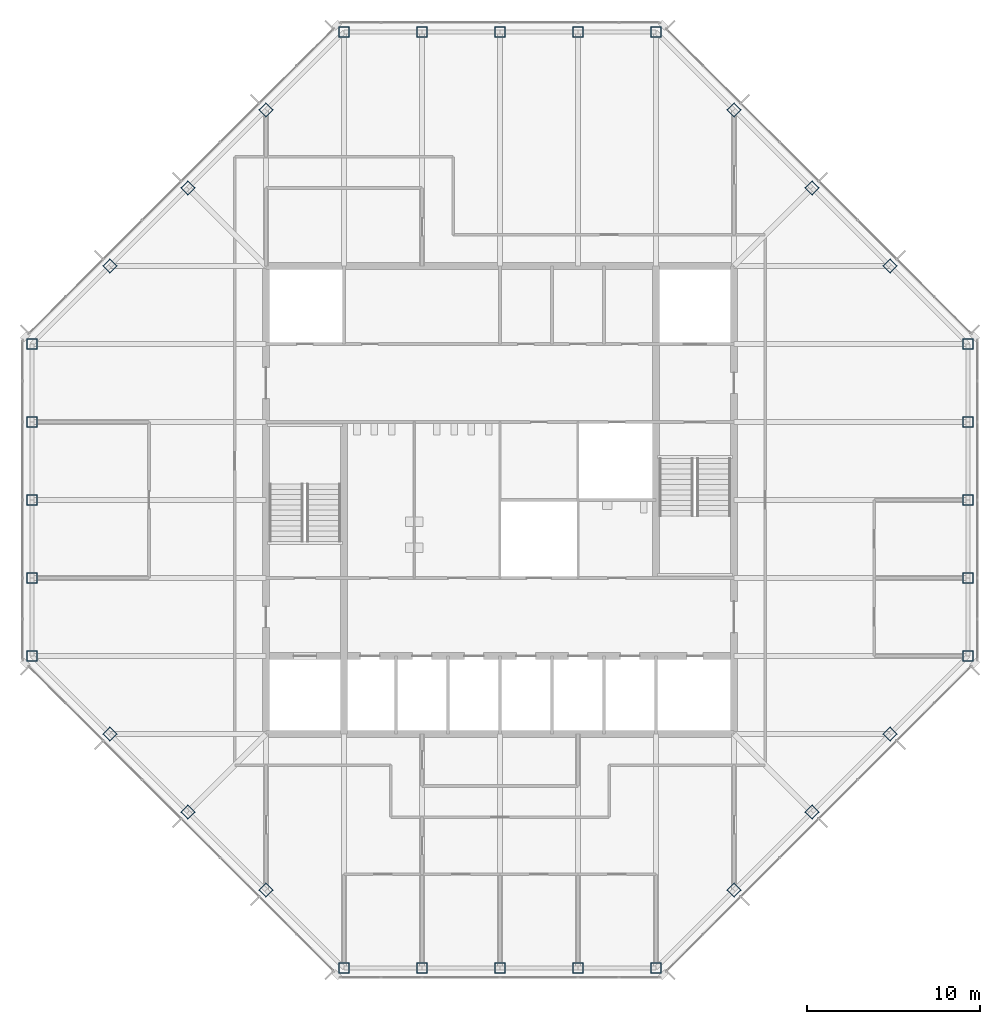
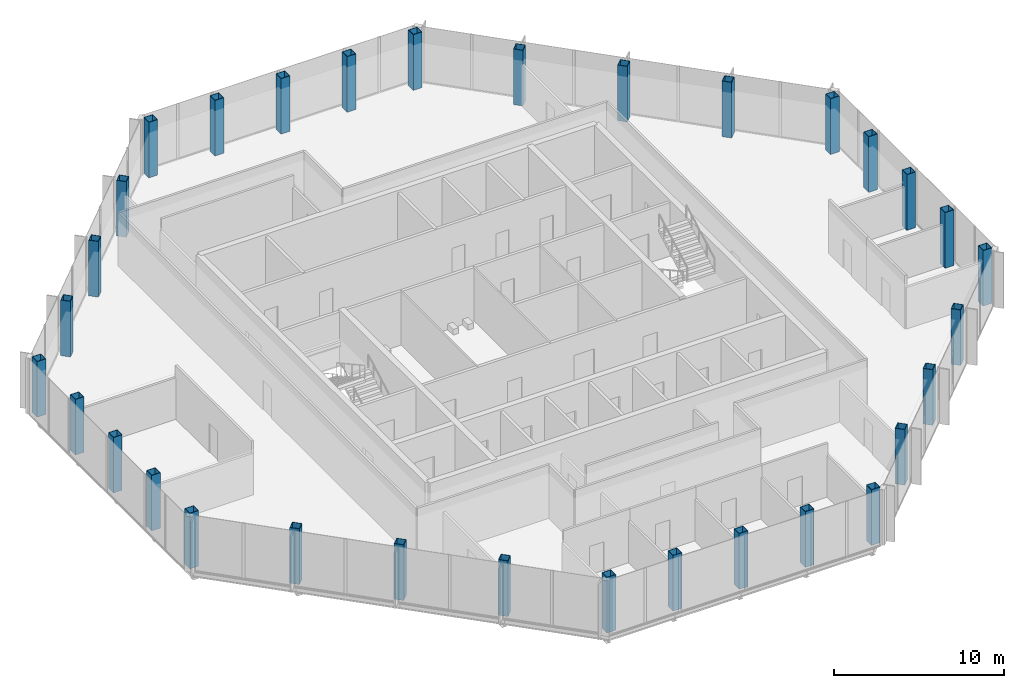
# One storey, part 1 of 13: 32 columns.
"""IFC4 building model written with IfcOpenShell, lengths in metres."""

from ifc_helpers import new_model, si_unit, direction, frame, origin, origin_2d, place, context, subcontext, project, spatial, hollow_rectangle, extrude, material, material_profile, profile_set, type_object, element, save


model = new_model("IFC4")

# Units and contexts
model_context = context("Model", 3, precision=1e-05, world=origin(), true_north=direction((0.0, 1.0)))
body_context = subcontext(model_context, "Body", "Model", "MODEL_VIEW")
ifc_project = project(units=[si_unit("LENGTHUNIT", "METRE"), si_unit("AREAUNIT", "SQUARE_METRE"), si_unit("VOLUMEUNIT", "CUBIC_METRE"), si_unit("PLANEANGLEUNIT", "RADIAN"), si_unit("MASSUNIT", "GRAM", prefix="KILO")], contexts=[model_context])

# Site, building, storey
site_placement = place(None, origin())
site = spatial("IfcSite", under=ifc_project, at=site_placement, CompositionType="ELEMENT")
building_placement = place(site_placement, origin())
building = spatial("IfcBuilding", under=site, at=building_placement, Name="Corais Broadcast Tower", CompositionType="ELEMENT")
storey_placement = place(building_placement, frame((0.0, 0.0, 270.60009765625)))
storey = spatial("IfcBuildingStorey", under=building, at=storey_placement, Name="L63", CompositionType="ELEMENT", Elevation=270.60009765625)

# Columns
ifc_material = material(Name="Steel ASTM A572 Grade 50", Category="steel")
ifc_material_profile = material_profile(ifc_material, hollow_rectangle(XDim=0.60009765625, YDim=0.60009765625, WallThickness=0.028076171875, at=origin_2d()), Name="BOX 600x600x28")
ifc_profile_set = profile_set([ifc_material_profile], Name="Steel ASTM A572 Grade 50")
column_type = type_object("IfcColumnType", Name="Column BOX 600x600x28", PredefinedType="COLUMN", material=ifc_profile_set)
for number, where, z_axis, x_axis, name in (
    (1, (18.0, 0.0, 0.0), (0.0, 0.0, 1.0), (1.0, 0.0, 0.0), "C7 A/7"),
    (2, (22.5, 0.0, 0.0), (0.0, 0.0, 1.0), (1.0, 0.0, 0.0), "C7 A/8"),
    (3, (27.0, 0.0, 0.0), (0.0, 0.0, 1.0), (1.0, 0.0, 0.0), "C7 A/9"),
    (4, (31.5, 0.0, 0.0), (0.0, 0.0, 1.0), (1.0, 0.0, 0.0), "C7 A/10"),
    (5, (36.0, 0.0, 0.0), (0.0, 0.0, 1.0), (1.0, 0.0, 0.0), "C7 A/11"),
    (6, (54.0, 18.0, 0.0), (0.0, 0.0, 1.0), (1.0, 0.0, 0.0), "C7 E/15"),
    (7, (54.0, 22.5, 0.0), (0.0, 0.0, 1.0), (1.0, 0.0, 0.0), "C7 F/15"),
    (8, (54.0, 27.0, 0.0), (0.0, 0.0, 1.0), (1.0, 0.0, 0.0), "C7 G/15"),
    (9, (54.0, 31.5, 0.0), (0.0, 0.0, 1.0), (1.0, 0.0, 0.0), "C7 H/15"),
    (10, (54.0, 36.0, 0.0), (0.0, 0.0, 1.0), (1.0, 0.0, 0.0), "C7 J/15"),
    (11, (36.0, 54.0, 0.0), (0.0, 0.0, 1.0), (1.0, 0.0, 0.0), "C7 N/11"),
    (12, (31.5, 54.0, 0.0), (0.0, 0.0, 1.0), (1.0, 0.0, 0.0), "C7 N/10"),
    (13, (27.0, 54.0, 0.0), (0.0, 0.0, 1.0), (1.0, 0.0, 0.0), "C7 N/9"),
    (14, (22.5, 54.0, 0.0), (0.0, 0.0, 1.0), (1.0, 0.0, 0.0), "C7 N/8"),
    (15, (18.0, 54.0, 0.0), (0.0, 0.0, 1.0), (1.0, 0.0, 0.0), "C7 N/7"),
    (16, (0.0, 36.0, 0.0), (0.0, 0.0, 1.0), (1.0, 0.0, 0.0), "C7 J/3"),
    (17, (0.0, 31.5, 0.0), (0.0, 0.0, 1.0), (1.0, 0.0, 0.0), "C7 H/3"),
    (18, (0.0, 27.0, 0.0), (0.0, 0.0, 1.0), (1.0, 0.0, 0.0), "C7 G/3"),
    (19, (0.0, 22.5, 0.0), (0.0, 0.0, 1.0), (1.0, 0.0, 0.0), "C7 F/3"),
    (20, (0.0, 18.0, 0.0), (0.0, 0.0, 1.0), (1.0, 0.0, 0.0), "C7 E/3"),
    (21, (13.5, 4.5, 0.0), (0.0, 0.0, 1.0), (0.707106781187, 0.707106781187, 0.0), "C7 B/6"),
    (22, (9.0, 9.0, 0.0), (0.0, 0.0, 1.0), (0.707106781187, 0.707106781187, 0.0), "C7 C/5"),
    (23, (4.5, 13.5, 0.0), (0.0, 0.0, 1.0), (0.707106781187, 0.707106781187, 0.0), "C7 D/4"),
    (24, (40.5, 4.5, 0.0), (0.0, 0.0, 1.0), (0.707106781187, 0.707106781187, 0.0), "C7 B/12"),
    (25, (45.0, 9.0, 0.0), (0.0, 0.0, 1.0), (0.707106781187, 0.707106781187, 0.0), "C7 C/13"),
    (26, (49.5, 13.5, 0.0), (0.0, 0.0, 1.0), (0.707106781187, 0.707106781187, 0.0), "C7 D/14"),
    (27, (49.5, 40.5, 0.0), (0.0, 0.0, 1.0), (0.707106781187, 0.707106781187, 0.0), "C7 K/14"),
    (28, (45.0, 45.0, 0.0), (0.0, 0.0, 1.0), (0.707106781187, 0.707106781187, 0.0), "C7 L/13"),
    (29, (40.5, 49.5, 0.0), (0.0, 0.0, 1.0), (0.707106781187, 0.707106781187, 0.0), "C7 M/12"),
    (30, (4.5, 40.5, 0.0), (0.0, 0.0, 1.0), (0.707106781187, 0.707106781187, 0.0), "C7 K/4"),
    (31, (9.0, 45.0, 0.0), (0.0, 0.0, 1.0), (0.707106781187, 0.707106781187, 0.0), "C7 L/5"),
    (32, (13.5, 49.5, 0.0), (0.0, 0.0, 1.0), (0.707106781187, 0.707106781187, 0.0), "C7 M/6"),
):
    element("IfcColumn", number, at=place(storey_placement, frame(where, z_axis=z_axis, x_axis=x_axis)), inside=storey, type_object=column_type, Name=name, PredefinedType="COLUMN", context=body_context, shape_type="SweptSolid", body=[
        extrude(hollow_rectangle(XDim=0.60009765625, YDim=0.60009765625, WallThickness=0.028076171875, at=origin_2d()), origin(), (0.0, 0.0, 1.0), 4.0),
    ])

save(model, "model.ifc")
